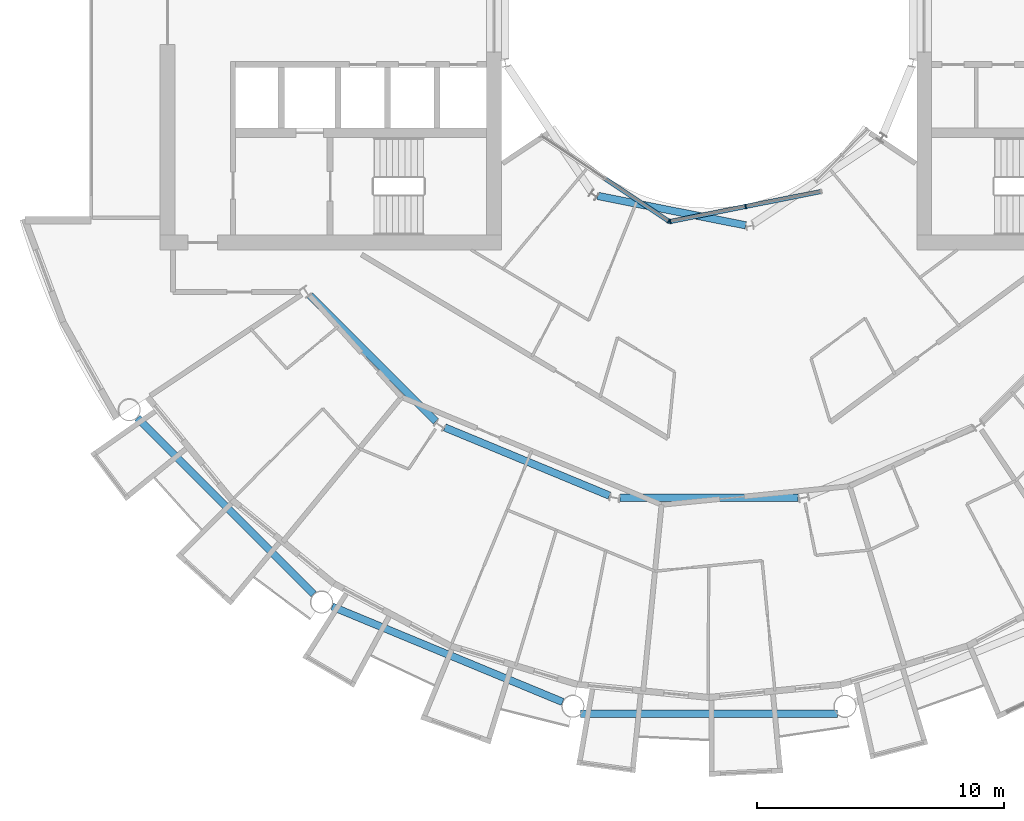
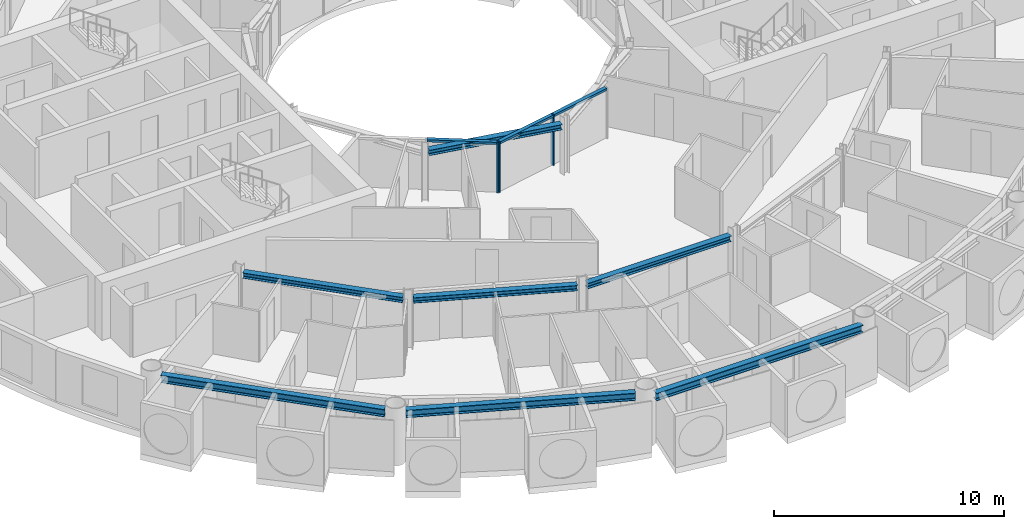
# One storey, part 5 of 27: 7 beams, 6 members, 2 elements without a shape of their own.
"""IFC4 building model written with IfcOpenShell, lengths in metres."""

from ifc_helpers import new_model, si_unit, direction, frame, origin, origin_2d, place, context, subcontext, project, spatial, rectangle, i_section, extrude, material, layer, layer_set, material_profile, profile_set, type_object, element, aggregate, save


model = new_model("IFC4")

# Units and contexts
model_context = context("Model", 3, precision=1e-05, world=origin(), true_north=direction((0.0, 1.0)))
body_context = subcontext(model_context, "Body", "Model", "MODEL_VIEW")
ifc_project = project(units=[si_unit("LENGTHUNIT", "METRE"), si_unit("AREAUNIT", "SQUARE_METRE"), si_unit("VOLUMEUNIT", "CUBIC_METRE"), si_unit("PLANEANGLEUNIT", "RADIAN"), si_unit("MASSUNIT", "GRAM", prefix="KILO")], contexts=[model_context])

# Site, building, storey
site_placement = place(None, origin())
site = spatial("IfcSite", under=ifc_project, at=site_placement, CompositionType="ELEMENT")
building_placement = place(site_placement, origin())
building = spatial("IfcBuilding", under=site, at=building_placement, Name="Maasbend Ring Residences", CompositionType="ELEMENT")
storey_placement = place(building_placement, frame((0.0, 0.0, 117.75)))
storey = spatial("IfcBuildingStorey", under=building, at=storey_placement, Name="L33", CompositionType="ELEMENT", Elevation=117.75)

# Curtain wall, member
ifc_material_1 = material(Name="Aluminium and clear glass", Category="aluminium")
ifc_layer = layer(ifc_material_1, 0.179931640625)
ifc_layer_set = layer_set([ifc_layer], Name="CW-W")
curtain_wall_type = type_object("IfcCurtainWallType", Name="CW-W", PredefinedType="NOTDEFINED", material=ifc_layer_set)
curtain_wall_1_placement = place(storey_placement, origin())
curtain_wall_1 = element("IfcCurtainWall", 1, at=curtain_wall_1_placement, inside=storey, type_object=curtain_wall_type, Name="Well curtain wall S1", PredefinedType="NOTDEFINED")
ifc_material_2 = material(Name="Aluminium 6063-T6", Category="aluminium")
ifc_material_profile_1 = material_profile(ifc_material_2, rectangle(XDim=0.179931640625, YDim=0.06005859375, at=origin_2d()), Name="AL 180x60")
ifc_profile_set_1 = profile_set([ifc_material_profile_1], Name="Aluminium 6063-T6")
member_type_1 = type_object("IfcMemberType", Name="CWM-W", PredefinedType="MULLION", material=ifc_profile_set_1)
member_1_placement = place(storey_placement, frame((-1.627685546875, -8.040771484375, 0.0), z_axis=(0.0, 0.0, 1.0), x_axis=(0.55557023302, 0.831469612303, 0.0)))
member_1 = element("IfcMember", 2, at=member_1_placement, type_object=member_type_1, Name="Mullion well face", PredefinedType="MULLION", context=body_context, shape_type="SweptSolid", body=[
    extrude(rectangle(XDim=0.179931640625, YDim=0.06005859375, at=origin_2d()), origin(), (0.0, 0.0, 1.0), 2.699951171875),
])

# Curtain wall, members
curtain_wall_2_placement = place(storey_placement, origin())
curtain_wall_2 = element("IfcCurtainWall", 3, at=curtain_wall_2_placement, inside=storey, type_object=curtain_wall_type, Name="Well curtain wall S2", PredefinedType="NOTDEFINED")
member_2_placement = place(storey_placement, frame((-1.5732421875, -8.0517578125, 0.0), z_axis=(0.0, 0.0, 1.0), x_axis=(-0.195090322016, 0.980785280403, 0.0)))
member_2 = element("IfcMember", 4, at=member_2_placement, type_object=member_type_1, Name="Mullion well face", PredefinedType="MULLION", context=body_context, shape_type="SweptSolid", body=[
    extrude(rectangle(XDim=0.179931640625, YDim=0.06005859375, at=origin_2d()), origin(), (0.0, 0.0, 1.0), 2.699951171875),
])
member_3_placement = place(storey_placement, frame((1.480712890625, -7.444091796875, 0.0), z_axis=(0.0, 0.0, 1.0), x_axis=(-0.195090322016, 0.980785280403, 0.0)))
member_3 = element("IfcMember", 5, at=member_3_placement, type_object=member_type_1, Name="Mullion well face", PredefinedType="MULLION", context=body_context, shape_type="SweptSolid", body=[
    extrude(rectangle(XDim=0.179931640625, YDim=0.06005859375, at=origin_2d()), origin(), (0.0, 0.0, 1.0), 2.699951171875),
])

# Member
ifc_material_3 = material(Name="Aluminium 6063-T6", Category="aluminium")
ifc_material_profile_2 = material_profile(ifc_material_3, rectangle(XDim=0.179931640625, YDim=0.1201171875, at=origin_2d()), Name="AL 180x120")
ifc_profile_set_2 = profile_set([ifc_material_profile_2], Name="Aluminium 6063-T6")
member_type_2 = type_object("IfcMemberType", Name="CWT-W", PredefinedType="USERDEFINED", material=ifc_profile_set_2)
member_4_placement = place(storey_placement, frame((-4.19189453125, -6.32763671875, 2.639892578125), z_axis=(0.831496422459, -0.555530106689, 0.0), x_axis=(0.555530106689, 0.831496422459, 0.0)))
member_4 = element("IfcMember", 6, at=member_4_placement, type_object=member_type_2, Name="Transom well face", ObjectType="TRANSOM", PredefinedType="USERDEFINED", context=body_context, shape_type="SweptSolid", body=[
    extrude(rectangle(XDim=0.179931640625, YDim=0.1201171875, at=origin_2d()), origin(), (0.0, 0.0, 1.0), 3.053955078125),
])

aggregate(curtain_wall_1, [member_1, member_4])

member_5_placement = place(storey_placement, frame((-1.5439453125, -8.0458984375, 2.639892578125), z_axis=(0.980776956105, 0.195132166424, 0.0), x_axis=(-0.195132166424, 0.980776956105, 0.0)))
member_5 = element("IfcMember", 7, at=member_5_placement, type_object=member_type_2, Name="Transom well face", ObjectType="TRANSOM", PredefinedType="USERDEFINED", context=body_context, shape_type="SweptSolid", body=[
    extrude(rectangle(XDim=0.179931640625, YDim=0.1201171875, at=origin_2d()), origin(), (0.0, 0.0, 1.0), 3.053955078125),
])

member_6_placement = place(storey_placement, frame((1.51025390625, -7.438232421875, 2.639892578125), z_axis=(0.980789210404, 0.19507056353, 0.0), x_axis=(-0.19507056353, 0.980789210404, 0.0)))
member_6 = element("IfcMember", 8, at=member_6_placement, type_object=member_type_2, Name="Transom well face", ObjectType="TRANSOM", PredefinedType="USERDEFINED", context=body_context, shape_type="SweptSolid", body=[
    extrude(rectangle(XDim=0.179931640625, YDim=0.1201171875, at=origin_2d()), origin(), (0.0, 0.0, 1.0), 3.0537109375),
])

aggregate(curtain_wall_2, [member_2, member_3, member_5, member_6])

# Beams
ifc_material_4 = material(Name="Steel S355J2", Category="steel")
ifc_material_profile_3 = material_profile(ifc_material_4, i_section(OverallWidth=0.300048828125, OverallDepth=0.2900390625, WebThickness=0.008544921875, FlangeThickness=0.013916015625, FilletRadius=0.027099609375, at=origin_2d()), Name="HEA 300")
ifc_profile_set_3 = profile_set([ifc_material_profile_3], Name="Steel S355J2")
beam_type_1 = type_object("IfcBeamType", Name="Corridor ring beam HEA 300", PredefinedType="BEAM", material=ifc_profile_set_3)
for number, where, z_axis, x_axis, name in (
    (9, (-16.14111328125, -11.044921875, 2.554931640625), (0.707106781187, -0.707106781187, 0.0), (0.707106781187, 0.707106781187, 0.0), "Corridor ring beam"),
    (10, (-10.685791015625, -16.381103515625, 2.554931640625), (0.923877693919, -0.382687871089, 0.0), (0.382687871089, 0.923877693919, 0.0), "Corridor ring beam"),
    (11, (-3.603515625, -19.223388671875, 2.554931640625), (1.0, 0.0, 0.0), (0.0, 1.0, 0.0), "Corridor ring beam"),
):
    element("IfcBeam", number, at=place(storey_placement, frame(where, z_axis=z_axis, x_axis=x_axis)), inside=storey, type_object=beam_type_1, Name=name, PredefinedType="BEAM", context=body_context, shape_type="SweptSolid", body=[
        extrude(i_section(OverallWidth=0.300048828125, OverallDepth=0.2900390625, WebThickness=0.008544921875, FlangeThickness=0.013916015625, FilletRadius=0.027099609375, at=origin_2d()), origin(), (0.0, 0.0, 1.0), 7.20703125),
    ])
ifc_material_5 = material(Name="Steel S355J2", Category="steel")
ifc_material_profile_4 = material_profile(ifc_material_5, i_section(OverallWidth=0.300048828125, OverallDepth=0.39990234375, WebThickness=0.013427734375, FlangeThickness=0.02392578125, FilletRadius=0.027099609375, at=origin_2d()), Name="HEB 400")
ifc_profile_set_4 = profile_set([ifc_material_profile_4], Name="Steel S355J2")
beam_type_2 = type_object("IfcBeamType", Name="Spandrel ring beam HEB 400", PredefinedType="SPANDREL", material=ifc_profile_set_4)
for number, where, z_axis, x_axis, name in (
    (12, (-23.124267578125, -15.990234375, 2.5), (0.707106781187, -0.707106781187, 0.0), (0.707106781187, 0.707106781187, 0.0), "Spandrel ring beam"),
    (13, (-15.244873046875, -23.622314453125, 2.5), (0.92388529709, -0.382669515144, 0.0), (0.382669515144, 0.92388529709, 0.0), "Spandrel ring beam"),
):
    element("IfcBeam", number, at=place(storey_placement, frame(where, z_axis=z_axis, x_axis=x_axis)), inside=storey, type_object=beam_type_2, Name=name, PredefinedType="SPANDREL", context=body_context, shape_type="SweptSolid", body=[
        extrude(i_section(OverallWidth=0.300048828125, OverallDepth=0.39990234375, WebThickness=0.013427734375, FlangeThickness=0.02392578125, FilletRadius=0.027099609375, at=origin_2d()), origin(), (0.0, 0.0, 1.0), 10.089111328125),
    ])
beam_1_placement = place(storey_placement, frame((-5.194580078125, -27.9580078125, 2.5), z_axis=(1.0, 0.0, 0.0), x_axis=(0.0, 1.0, 0.0)))
element("IfcBeam", 14, at=beam_1_placement, inside=storey, type_object=beam_type_2, Name="Spandrel ring beam", PredefinedType="SPANDREL", context=body_context, shape_type="SweptSolid", body=[
    extrude(i_section(OverallWidth=0.300048828125, OverallDepth=0.39990234375, WebThickness=0.013427734375, FlangeThickness=0.02392578125, FilletRadius=0.027099609375, at=origin_2d()), origin(), (0.0, 0.0, 1.0), 10.38916015625),
])
ifc_material_6 = material(Name="Steel S355J2", Category="steel")
ifc_material_profile_5 = material_profile(ifc_material_6, i_section(OverallWidth=0.300048828125, OverallDepth=0.2900390625, WebThickness=0.008544921875, FlangeThickness=0.013916015625, FilletRadius=0.027099609375, at=origin_2d()), Name="HEA 300")
ifc_profile_set_5 = profile_set([ifc_material_profile_5], Name="Steel S355J2")
beam_type_3 = type_object("IfcBeamType", Name="Well edge beam HEA 300", PredefinedType="BEAM", material=ifc_profile_set_5)
beam_2_placement = place(storey_placement, frame((-4.507568359375, -7.01611328125, 2.554931640625), z_axis=(0.980792381321, -0.195054619896, 0.0), x_axis=(0.195054619896, 0.980792381321, 0.0)))
element("IfcBeam", 15, at=beam_2_placement, inside=storey, type_object=beam_type_3, Name="Well edge beam", PredefinedType="BEAM", context=body_context, shape_type="SweptSolid", body=[
    extrude(i_section(OverallWidth=0.300048828125, OverallDepth=0.2900390625, WebThickness=0.008544921875, FlangeThickness=0.013916015625, FilletRadius=0.027099609375, at=origin_2d()), origin(), (0.0, 0.0, 1.0), 6.104248046875),
])

save(model, "model.ifc")
